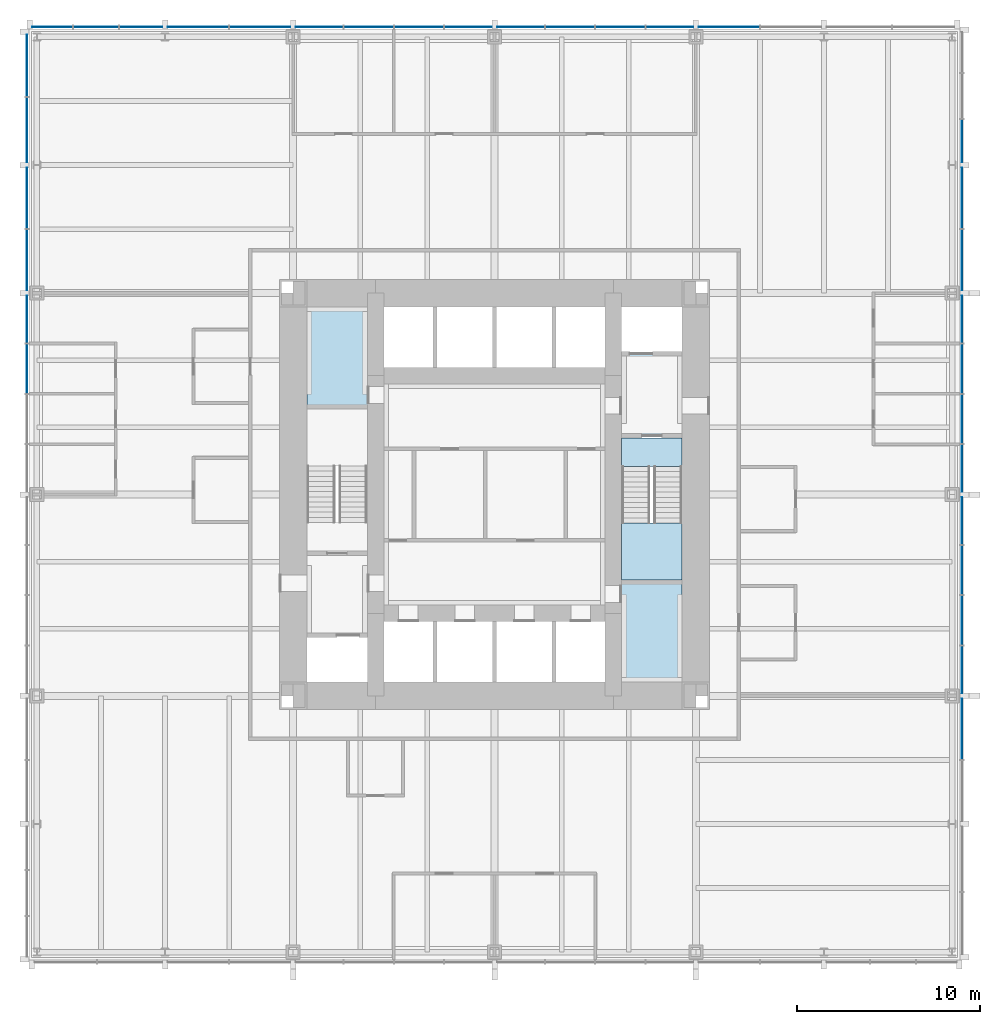
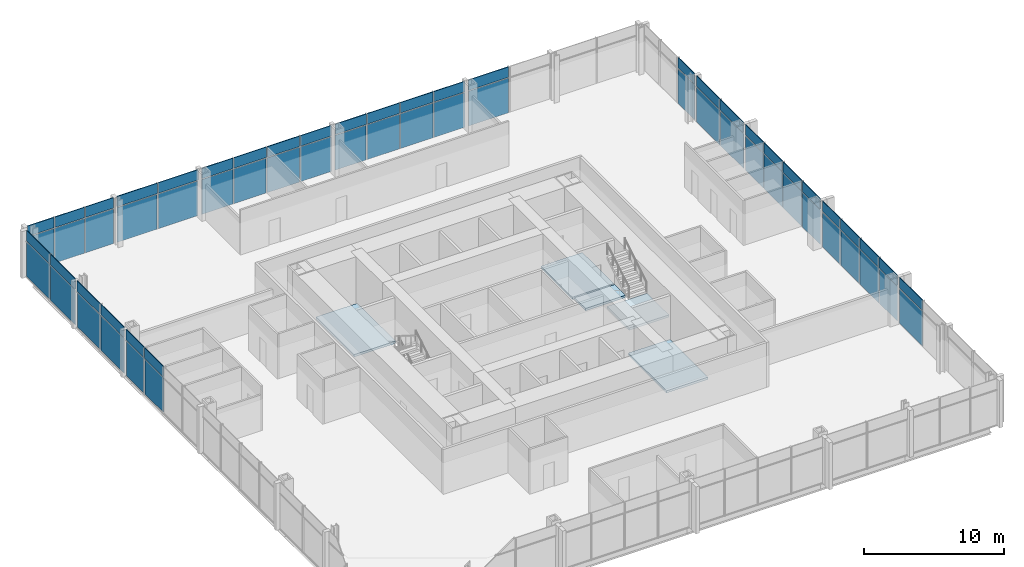
# One storey, part 8 of 12: 64 plates, 5 slabs, 4 elements without a shape of their own.
"""IFC4 building model written with IfcOpenShell, lengths in metres."""

from ifc_helpers import new_model, si_unit, direction, frame, origin, origin_2d, place, context, subcontext, project, spatial, polyline, rectangle, outline, extrude, material, layer, layer_set, type_object, element, aggregate, save


model = new_model("IFC4")

# Units and contexts
model_context = context("Model", 3, precision=1e-05, world=origin(), true_north=direction((0.0, 1.0)))
body_context = subcontext(model_context, "Body", "Model", "MODEL_VIEW")
ifc_project = project(units=[si_unit("LENGTHUNIT", "METRE"), si_unit("AREAUNIT", "SQUARE_METRE"), si_unit("VOLUMEUNIT", "CUBIC_METRE"), si_unit("PLANEANGLEUNIT", "RADIAN"), si_unit("MASSUNIT", "GRAM", prefix="KILO")], contexts=[model_context])

# Site, building, storey
site_placement = place(None, origin())
site = spatial("IfcSite", under=ifc_project, at=site_placement, CompositionType="ELEMENT")
building_placement = place(site_placement, origin())
building = spatial("IfcBuilding", under=site, at=building_placement, Name="Trevanion Tower", CompositionType="ELEMENT")
storey_placement = place(building_placement, frame((0.0, 0.0, 65.199951171875)))
storey = spatial("IfcBuildingStorey", under=building, at=storey_placement, Name="L15", CompositionType="ELEMENT", Elevation=65.199951171875)

# Curtain wall, plates
ifc_material_1 = material(Name="Aluminium and glass", Category="aluminium")
curtain_wall_type = type_object("IfcCurtainWallType", Name="CW1 curtain wall", PredefinedType="USERDEFINED", material=ifc_material_1)
curtain_wall_1_placement = place(storey_placement, origin())
curtain_wall_1 = element("IfcCurtainWall", 1, at=curtain_wall_1_placement, inside=storey, type_object=curtain_wall_type, Name="CW1 L15 0", ObjectType="UNITISED CURTAIN WALL", PredefinedType="USERDEFINED")
ifc_material_2 = material(Name="Aluminium spandrel panel", Category="aluminium")
ifc_layer_1 = layer(ifc_material_2, 0.06005859375)
ifc_layer_set_1 = layer_set([ifc_layer_1], Name="CW1 spandrel panel")
plate_type_1 = type_object("IfcPlateType", Name="CW1 spandrel panel", PredefinedType="CURTAIN_PANEL", material=ifc_layer_set_1)
plate_1_placement = place(storey_placement, frame((25.550048828125, -12.806396484375, 2.99755859375), z_axis=(0.0, 0.0, 1.0), x_axis=(0.0, 1.0, 0.0)))
plate_1 = element("IfcPlate", 2, at=plate_1_placement, type_object=plate_type_1, Name="CW1 panel 4.2", PredefinedType="CURTAIN_PANEL", context=body_context, shape_type="SweptSolid", body=[
    extrude(rectangle(XDim=3.3125, YDim=0.06005859375, at=origin_2d()), origin(), (0.0, 0.0, 1.0), 0.91259765625),
])
plate_2_placement = place(storey_placement, frame((25.550048828125, -9.56884765625, 2.99755859375), z_axis=(0.0, 0.0, 1.0), x_axis=(0.0, 1.0, 0.0)))
plate_2 = element("IfcPlate", 3, at=plate_2_placement, type_object=plate_type_1, Name="CW1 panel 5.2", PredefinedType="CURTAIN_PANEL", context=body_context, shape_type="SweptSolid", body=[
    extrude(rectangle(XDim=2.5625, YDim=0.06005859375, at=origin_2d()), origin(), (0.0, 0.0, 1.0), 0.91259765625),
])
plate_3_placement = place(storey_placement, frame((25.550048828125, -6.875, 2.99755859375), z_axis=(0.0, 0.0, 1.0), x_axis=(0.0, 1.0, 0.0)))
plate_3 = element("IfcPlate", 4, at=plate_3_placement, type_object=plate_type_1, Name="CW1 panel 6.2", PredefinedType="CURTAIN_PANEL", context=body_context, shape_type="SweptSolid", body=[
    extrude(rectangle(XDim=2.675048828125, YDim=0.06005859375, at=origin_2d()), origin(), (0.0, 0.0, 1.0), 0.91259765625),
])
plate_4_placement = place(storey_placement, frame((25.550048828125, -4.125, 2.99755859375), z_axis=(0.0, 0.0, 1.0), x_axis=(0.0, 1.0, 0.0)))
plate_4 = element("IfcPlate", 5, at=plate_4_placement, type_object=plate_type_1, Name="CW1 panel 7.2", PredefinedType="CURTAIN_PANEL", context=body_context, shape_type="SweptSolid", body=[
    extrude(rectangle(XDim=2.675048828125, YDim=0.06005859375, at=origin_2d()), origin(), (0.0, 0.0, 1.0), 0.91259765625),
])
plate_5_placement = place(storey_placement, frame((25.550048828125, -1.43115234375, 2.99755859375), z_axis=(0.0, 0.0, 1.0), x_axis=(0.0, 1.0, 0.0)))
plate_5 = element("IfcPlate", 6, at=plate_5_placement, type_object=plate_type_1, Name="CW1 panel 8.2", PredefinedType="CURTAIN_PANEL", context=body_context, shape_type="SweptSolid", body=[
    extrude(rectangle(XDim=2.5625, YDim=0.06005859375, at=origin_2d()), origin(), (0.0, 0.0, 1.0), 0.91259765625),
])
plate_6_placement = place(storey_placement, frame((25.550048828125, 1.43115234375, 2.99755859375), z_axis=(0.0, 0.0, 1.0), x_axis=(0.0, 1.0, 0.0)))
plate_6 = element("IfcPlate", 7, at=plate_6_placement, type_object=plate_type_1, Name="CW1 panel 9.2", PredefinedType="CURTAIN_PANEL", context=body_context, shape_type="SweptSolid", body=[
    extrude(rectangle(XDim=2.5625, YDim=0.06005859375, at=origin_2d()), origin(), (0.0, 0.0, 1.0), 0.91259765625),
])
plate_7_placement = place(storey_placement, frame((25.550048828125, 4.125, 2.99755859375), z_axis=(0.0, 0.0, 1.0), x_axis=(0.0, 1.0, 0.0)))
plate_7 = element("IfcPlate", 8, at=plate_7_placement, type_object=plate_type_1, Name="CW1 panel 10.2", PredefinedType="CURTAIN_PANEL", context=body_context, shape_type="SweptSolid", body=[
    extrude(rectangle(XDim=2.675048828125, YDim=0.06005859375, at=origin_2d()), origin(), (0.0, 0.0, 1.0), 0.91259765625),
])
plate_8_placement = place(storey_placement, frame((25.550048828125, 6.875, 2.99755859375), z_axis=(0.0, 0.0, 1.0), x_axis=(0.0, 1.0, 0.0)))
plate_8 = element("IfcPlate", 9, at=plate_8_placement, type_object=plate_type_1, Name="CW1 panel 11.2", PredefinedType="CURTAIN_PANEL", context=body_context, shape_type="SweptSolid", body=[
    extrude(rectangle(XDim=2.675048828125, YDim=0.06005859375, at=origin_2d()), origin(), (0.0, 0.0, 1.0), 0.91259765625),
])
plate_9_placement = place(storey_placement, frame((25.550048828125, 9.56884765625, 2.99755859375), z_axis=(0.0, 0.0, 1.0), x_axis=(0.0, 1.0, 0.0)))
plate_9 = element("IfcPlate", 10, at=plate_9_placement, type_object=plate_type_1, Name="CW1 panel 12.2", PredefinedType="CURTAIN_PANEL", context=body_context, shape_type="SweptSolid", body=[
    extrude(rectangle(XDim=2.5625, YDim=0.06005859375, at=origin_2d()), origin(), (0.0, 0.0, 1.0), 0.91259765625),
])
plate_10_placement = place(storey_placement, frame((25.550048828125, 12.80615234375, 2.99755859375), z_axis=(0.0, 0.0, 1.0), x_axis=(0.0, 1.0, 0.0)))
plate_10 = element("IfcPlate", 11, at=plate_10_placement, type_object=plate_type_1, Name="CW1 panel 13.2", PredefinedType="CURTAIN_PANEL", context=body_context, shape_type="SweptSolid", body=[
    extrude(rectangle(XDim=3.3125, YDim=0.06005859375, at=origin_2d()), origin(), (0.0, 0.0, 1.0), 0.91259765625),
])
plate_11_placement = place(storey_placement, frame((25.550048828125, 16.19384765625, 2.99755859375), z_axis=(0.0, 0.0, 1.0), x_axis=(0.0, 1.0, 0.0)))
plate_11 = element("IfcPlate", 12, at=plate_11_placement, type_object=plate_type_1, Name="CW1 panel 14.2", PredefinedType="CURTAIN_PANEL", context=body_context, shape_type="SweptSolid", body=[
    extrude(rectangle(XDim=3.3125, YDim=0.06005859375, at=origin_2d()), origin(), (0.0, 0.0, 1.0), 0.91259765625),
])
plate_12_placement = place(storey_placement, frame((25.550048828125, 19.314697265625, 2.99755859375), z_axis=(0.0, 0.0, 1.0), x_axis=(0.0, 1.0, 0.0)))
plate_12 = element("IfcPlate", 13, at=plate_12_placement, type_object=plate_type_1, Name="CW1 panel 15.2", PredefinedType="CURTAIN_PANEL", context=body_context, shape_type="SweptSolid", body=[
    extrude(rectangle(XDim=2.3291015625, YDim=0.06005859375, at=origin_2d()), origin(), (0.0, 0.0, 1.0), 0.91259765625),
])

curtain_wall_2_placement = place(storey_placement, origin())
curtain_wall_2 = element("IfcCurtainWall", 14, at=curtain_wall_2_placement, inside=storey, type_object=curtain_wall_type, Name="CW1 L15 1", ObjectType="UNITISED CURTAIN WALL", PredefinedType="USERDEFINED")
plate_13_placement = place(storey_placement, frame((12.806396484375, 25.550048828125, 2.99755859375), z_axis=(0.0, 0.0, 1.0), x_axis=(-1.0, 0.0, 0.0)))
plate_13 = element("IfcPlate", 15, at=plate_13_placement, type_object=plate_type_1, Name="CW1 panel 4.2", PredefinedType="CURTAIN_PANEL", context=body_context, shape_type="SweptSolid", body=[
    extrude(rectangle(XDim=3.3125, YDim=0.06005859375, at=origin_2d()), origin(), (0.0, 0.0, 1.0), 0.91259765625),
])
plate_14_placement = place(storey_placement, frame((9.56884765625, 25.550048828125, 2.99755859375), z_axis=(0.0, 0.0, 1.0), x_axis=(-1.0, 0.0, 0.0)))
plate_14 = element("IfcPlate", 16, at=plate_14_placement, type_object=plate_type_1, Name="CW1 panel 5.2", PredefinedType="CURTAIN_PANEL", context=body_context, shape_type="SweptSolid", body=[
    extrude(rectangle(XDim=2.5625, YDim=0.06005859375, at=origin_2d()), origin(), (0.0, 0.0, 1.0), 0.91259765625),
])
plate_15_placement = place(storey_placement, frame((6.875, 25.550048828125, 2.99755859375), z_axis=(0.0, 0.0, 1.0), x_axis=(-1.0, 0.0, 0.0)))
plate_15 = element("IfcPlate", 17, at=plate_15_placement, type_object=plate_type_1, Name="CW1 panel 6.2", PredefinedType="CURTAIN_PANEL", context=body_context, shape_type="SweptSolid", body=[
    extrude(rectangle(XDim=2.675048828125, YDim=0.06005859375, at=origin_2d()), origin(), (0.0, 0.0, 1.0), 0.91259765625),
])
plate_16_placement = place(storey_placement, frame((4.125, 25.550048828125, 2.99755859375), z_axis=(0.0, 0.0, 1.0), x_axis=(-1.0, 0.0, 0.0)))
plate_16 = element("IfcPlate", 18, at=plate_16_placement, type_object=plate_type_1, Name="CW1 panel 7.2", PredefinedType="CURTAIN_PANEL", context=body_context, shape_type="SweptSolid", body=[
    extrude(rectangle(XDim=2.675048828125, YDim=0.06005859375, at=origin_2d()), origin(), (0.0, 0.0, 1.0), 0.91259765625),
])
plate_17_placement = place(storey_placement, frame((1.43115234375, 25.550048828125, 2.99755859375), z_axis=(0.0, 0.0, 1.0), x_axis=(-1.0, 0.0, 0.0)))
plate_17 = element("IfcPlate", 19, at=plate_17_placement, type_object=plate_type_1, Name="CW1 panel 8.2", PredefinedType="CURTAIN_PANEL", context=body_context, shape_type="SweptSolid", body=[
    extrude(rectangle(XDim=2.5625, YDim=0.06005859375, at=origin_2d()), origin(), (0.0, 0.0, 1.0), 0.91259765625),
])
plate_18_placement = place(storey_placement, frame((-1.43115234375, 25.550048828125, 2.99755859375), z_axis=(0.0, 0.0, 1.0), x_axis=(-1.0, 0.0, 0.0)))
plate_18 = element("IfcPlate", 20, at=plate_18_placement, type_object=plate_type_1, Name="CW1 panel 9.2", PredefinedType="CURTAIN_PANEL", context=body_context, shape_type="SweptSolid", body=[
    extrude(rectangle(XDim=2.5625, YDim=0.06005859375, at=origin_2d()), origin(), (0.0, 0.0, 1.0), 0.91259765625),
])
plate_19_placement = place(storey_placement, frame((-4.125, 25.550048828125, 2.99755859375), z_axis=(0.0, 0.0, 1.0), x_axis=(-1.0, 0.0, 0.0)))
plate_19 = element("IfcPlate", 21, at=plate_19_placement, type_object=plate_type_1, Name="CW1 panel 10.2", PredefinedType="CURTAIN_PANEL", context=body_context, shape_type="SweptSolid", body=[
    extrude(rectangle(XDim=2.675048828125, YDim=0.06005859375, at=origin_2d()), origin(), (0.0, 0.0, 1.0), 0.91259765625),
])
plate_20_placement = place(storey_placement, frame((-6.875, 25.550048828125, 2.99755859375), z_axis=(0.0, 0.0, 1.0), x_axis=(-1.0, 0.0, 0.0)))
plate_20 = element("IfcPlate", 22, at=plate_20_placement, type_object=plate_type_1, Name="CW1 panel 11.2", PredefinedType="CURTAIN_PANEL", context=body_context, shape_type="SweptSolid", body=[
    extrude(rectangle(XDim=2.675048828125, YDim=0.06005859375, at=origin_2d()), origin(), (0.0, 0.0, 1.0), 0.91259765625),
])
plate_21_placement = place(storey_placement, frame((-9.56884765625, 25.550048828125, 2.99755859375), z_axis=(0.0, 0.0, 1.0), x_axis=(-1.0, 0.0, 0.0)))
plate_21 = element("IfcPlate", 23, at=plate_21_placement, type_object=plate_type_1, Name="CW1 panel 12.2", PredefinedType="CURTAIN_PANEL", context=body_context, shape_type="SweptSolid", body=[
    extrude(rectangle(XDim=2.5625, YDim=0.06005859375, at=origin_2d()), origin(), (0.0, 0.0, 1.0), 0.91259765625),
])
plate_22_placement = place(storey_placement, frame((-12.80615234375, 25.550048828125, 2.99755859375), z_axis=(0.0, 0.0, 1.0), x_axis=(-1.0, 0.0, 0.0)))
plate_22 = element("IfcPlate", 24, at=plate_22_placement, type_object=plate_type_1, Name="CW1 panel 13.2", PredefinedType="CURTAIN_PANEL", context=body_context, shape_type="SweptSolid", body=[
    extrude(rectangle(XDim=3.3125, YDim=0.06005859375, at=origin_2d()), origin(), (0.0, 0.0, 1.0), 0.91259765625),
])
plate_23_placement = place(storey_placement, frame((-16.19384765625, 25.550048828125, 2.99755859375), z_axis=(0.0, 0.0, 1.0), x_axis=(-1.0, 0.0, 0.0)))
plate_23 = element("IfcPlate", 25, at=plate_23_placement, type_object=plate_type_1, Name="CW1 panel 14.2", PredefinedType="CURTAIN_PANEL", context=body_context, shape_type="SweptSolid", body=[
    extrude(rectangle(XDim=3.3125, YDim=0.06005859375, at=origin_2d()), origin(), (0.0, 0.0, 1.0), 0.91259765625),
])
plate_24_placement = place(storey_placement, frame((-19.314697265625, 25.550048828125, 2.99755859375), z_axis=(0.0, 0.0, 1.0), x_axis=(-1.0, 0.0, 0.0)))
plate_24 = element("IfcPlate", 26, at=plate_24_placement, type_object=plate_type_1, Name="CW1 panel 15.2", PredefinedType="CURTAIN_PANEL", context=body_context, shape_type="SweptSolid", body=[
    extrude(rectangle(XDim=2.3291015625, YDim=0.06005859375, at=origin_2d()), origin(), (0.0, 0.0, 1.0), 0.91259765625),
])
plate_25_placement = place(storey_placement, frame((-21.77490234375, 25.550048828125, 2.99755859375), z_axis=(0.0, 0.0, 1.0), x_axis=(-1.0, 0.0, 0.0)))
plate_25 = element("IfcPlate", 27, at=plate_25_placement, type_object=plate_type_1, Name="CW1 panel 16.2", PredefinedType="CURTAIN_PANEL", context=body_context, shape_type="SweptSolid", body=[
    extrude(rectangle(XDim=2.441650390625, YDim=0.06005859375, at=origin_2d()), origin(), (0.0, 0.0, 1.0), 0.91259765625),
])
plate_26_placement = place(storey_placement, frame((-24.160400390625, 25.550048828125, 2.99755859375), z_axis=(0.0, 0.0, 1.0), x_axis=(-1.0, 0.0, 0.0)))
plate_26 = element("IfcPlate", 28, at=plate_26_placement, type_object=plate_type_1, Name="CW1 panel 17.2", PredefinedType="CURTAIN_PANEL", context=body_context, shape_type="SweptSolid", body=[
    extrude(rectangle(XDim=2.17919921875, YDim=0.06005859375, at=origin_2d()), origin(), (0.0, 0.0, 1.0), 0.91259765625),
])

curtain_wall_3_placement = place(storey_placement, origin())
curtain_wall_3 = element("IfcCurtainWall", 29, at=curtain_wall_3_placement, inside=storey, type_object=curtain_wall_type, Name="CW1 L15 2", ObjectType="UNITISED CURTAIN WALL", PredefinedType="USERDEFINED")
plate_27_placement = place(storey_placement, frame((-25.550048828125, 23.433837890625, 2.99755859375), z_axis=(0.0, 0.0, 1.0), x_axis=(0.0, -1.0, 0.0)))
plate_27 = element("IfcPlate", 30, at=plate_27_placement, type_object=plate_type_1, Name="CW1 panel 1.2", PredefinedType="CURTAIN_PANEL", context=body_context, shape_type="SweptSolid", body=[
    extrude(rectangle(XDim=3.37255859375, YDim=0.06005859375, at=origin_2d()), origin(), (0.0, 0.0, 1.0), 0.91259765625),
])
plate_28_placement = place(storey_placement, frame((-25.550048828125, 19.911376953125, 2.99755859375), z_axis=(0.0, 0.0, 1.0), x_axis=(0.0, -1.0, 0.0)))
plate_28 = element("IfcPlate", 31, at=plate_28_placement, type_object=plate_type_1, Name="CW1 panel 2.2", PredefinedType="CURTAIN_PANEL", context=body_context, shape_type="SweptSolid", body=[
    extrude(rectangle(XDim=3.5224609375, YDim=0.06005859375, at=origin_2d()), origin(), (0.0, 0.0, 1.0), 0.91259765625),
])
plate_29_placement = place(storey_placement, frame((-25.550048828125, 16.19384765625, 2.99755859375), z_axis=(0.0, 0.0, 1.0), x_axis=(0.0, -1.0, 0.0)))
plate_29 = element("IfcPlate", 32, at=plate_29_placement, type_object=plate_type_1, Name="CW1 panel 3.2", PredefinedType="CURTAIN_PANEL", context=body_context, shape_type="SweptSolid", body=[
    extrude(rectangle(XDim=3.3125, YDim=0.06005859375, at=origin_2d()), origin(), (0.0, 0.0, 1.0), 0.91259765625),
])
plate_30_placement = place(storey_placement, frame((-25.550048828125, 12.806396484375, 2.99755859375), z_axis=(0.0, 0.0, 1.0), x_axis=(0.0, -1.0, 0.0)))
plate_30 = element("IfcPlate", 33, at=plate_30_placement, type_object=plate_type_1, Name="CW1 panel 4.2", PredefinedType="CURTAIN_PANEL", context=body_context, shape_type="SweptSolid", body=[
    extrude(rectangle(XDim=3.3125, YDim=0.06005859375, at=origin_2d()), origin(), (0.0, 0.0, 1.0), 0.91259765625),
])
plate_31_placement = place(storey_placement, frame((-25.550048828125, 9.56884765625, 2.99755859375), z_axis=(0.0, 0.0, 1.0), x_axis=(0.0, -1.0, 0.0)))
plate_31 = element("IfcPlate", 34, at=plate_31_placement, type_object=plate_type_1, Name="CW1 panel 5.2", PredefinedType="CURTAIN_PANEL", context=body_context, shape_type="SweptSolid", body=[
    extrude(rectangle(XDim=2.5625, YDim=0.06005859375, at=origin_2d()), origin(), (0.0, 0.0, 1.0), 0.91259765625),
])
plate_32_placement = place(storey_placement, frame((-25.550048828125, 6.875, 2.99755859375), z_axis=(0.0, 0.0, 1.0), x_axis=(0.0, -1.0, 0.0)))
plate_32 = element("IfcPlate", 35, at=plate_32_placement, type_object=plate_type_1, Name="CW1 panel 6.2", PredefinedType="CURTAIN_PANEL", context=body_context, shape_type="SweptSolid", body=[
    extrude(rectangle(XDim=2.675048828125, YDim=0.06005859375, at=origin_2d()), origin(), (0.0, 0.0, 1.0), 0.91259765625),
])

# Plate
ifc_material_3 = material(Name="Insulating glass unit", Category="glass")
ifc_layer_2 = layer(ifc_material_3, 0.028076171875)
ifc_layer_set_2 = layer_set([ifc_layer_2], Name="CW1 vision panel")
plate_type_2 = type_object("IfcPlateType", Name="CW1 vision panel", PredefinedType="CURTAIN_PANEL", material=ifc_layer_set_2)
plate_33_placement = place(storey_placement, frame((25.550048828125, -12.806396484375, -0.114990234375), z_axis=(0.0, 0.0, 1.0), x_axis=(0.0, 1.0, 0.0)))
plate_33 = element("IfcPlate", 36, at=plate_33_placement, type_object=plate_type_2, Name="CW1 panel 4.1", PredefinedType="CURTAIN_PANEL", context=body_context, shape_type="SweptSolid", body=[
    extrude(rectangle(XDim=3.3125, YDim=0.028076171875, at=origin_2d()), origin(), (0.0, 0.0, 1.0), 3.03759765625),
])

plate_34_placement = place(storey_placement, frame((25.550048828125, -9.56884765625, -0.114990234375), z_axis=(0.0, 0.0, 1.0), x_axis=(0.0, 1.0, 0.0)))
plate_34 = element("IfcPlate", 37, at=plate_34_placement, type_object=plate_type_2, Name="CW1 panel 5.1", PredefinedType="CURTAIN_PANEL", context=body_context, shape_type="SweptSolid", body=[
    extrude(rectangle(XDim=2.5625, YDim=0.028076171875, at=origin_2d()), origin(), (0.0, 0.0, 1.0), 3.03759765625),
])

plate_35_placement = place(storey_placement, frame((25.550048828125, -6.875, -0.114990234375), z_axis=(0.0, 0.0, 1.0), x_axis=(0.0, 1.0, 0.0)))
plate_35 = element("IfcPlate", 38, at=plate_35_placement, type_object=plate_type_2, Name="CW1 panel 6.1", PredefinedType="CURTAIN_PANEL", context=body_context, shape_type="SweptSolid", body=[
    extrude(rectangle(XDim=2.675048828125, YDim=0.028076171875, at=origin_2d()), origin(), (0.0, 0.0, 1.0), 3.03759765625),
])

plate_36_placement = place(storey_placement, frame((25.550048828125, -4.125, -0.114990234375), z_axis=(0.0, 0.0, 1.0), x_axis=(0.0, 1.0, 0.0)))
plate_36 = element("IfcPlate", 39, at=plate_36_placement, type_object=plate_type_2, Name="CW1 panel 7.1", PredefinedType="CURTAIN_PANEL", context=body_context, shape_type="SweptSolid", body=[
    extrude(rectangle(XDim=2.675048828125, YDim=0.028076171875, at=origin_2d()), origin(), (0.0, 0.0, 1.0), 3.03759765625),
])

plate_37_placement = place(storey_placement, frame((25.550048828125, -1.43115234375, -0.114990234375), z_axis=(0.0, 0.0, 1.0), x_axis=(0.0, 1.0, 0.0)))
plate_37 = element("IfcPlate", 40, at=plate_37_placement, type_object=plate_type_2, Name="CW1 panel 8.1", PredefinedType="CURTAIN_PANEL", context=body_context, shape_type="SweptSolid", body=[
    extrude(rectangle(XDim=2.5625, YDim=0.028076171875, at=origin_2d()), origin(), (0.0, 0.0, 1.0), 3.03759765625),
])

plate_38_placement = place(storey_placement, frame((25.550048828125, 1.43115234375, -0.114990234375), z_axis=(0.0, 0.0, 1.0), x_axis=(0.0, 1.0, 0.0)))
plate_38 = element("IfcPlate", 41, at=plate_38_placement, type_object=plate_type_2, Name="CW1 panel 9.1", PredefinedType="CURTAIN_PANEL", context=body_context, shape_type="SweptSolid", body=[
    extrude(rectangle(XDim=2.5625, YDim=0.028076171875, at=origin_2d()), origin(), (0.0, 0.0, 1.0), 3.03759765625),
])

plate_39_placement = place(storey_placement, frame((25.550048828125, 4.125, -0.114990234375), z_axis=(0.0, 0.0, 1.0), x_axis=(0.0, 1.0, 0.0)))
plate_39 = element("IfcPlate", 42, at=plate_39_placement, type_object=plate_type_2, Name="CW1 panel 10.1", PredefinedType="CURTAIN_PANEL", context=body_context, shape_type="SweptSolid", body=[
    extrude(rectangle(XDim=2.675048828125, YDim=0.028076171875, at=origin_2d()), origin(), (0.0, 0.0, 1.0), 3.03759765625),
])

plate_40_placement = place(storey_placement, frame((25.550048828125, 6.875, -0.114990234375), z_axis=(0.0, 0.0, 1.0), x_axis=(0.0, 1.0, 0.0)))
plate_40 = element("IfcPlate", 43, at=plate_40_placement, type_object=plate_type_2, Name="CW1 panel 11.1", PredefinedType="CURTAIN_PANEL", context=body_context, shape_type="SweptSolid", body=[
    extrude(rectangle(XDim=2.675048828125, YDim=0.028076171875, at=origin_2d()), origin(), (0.0, 0.0, 1.0), 3.03759765625),
])

plate_41_placement = place(storey_placement, frame((25.550048828125, 9.56884765625, -0.114990234375), z_axis=(0.0, 0.0, 1.0), x_axis=(0.0, 1.0, 0.0)))
plate_41 = element("IfcPlate", 44, at=plate_41_placement, type_object=plate_type_2, Name="CW1 panel 12.1", PredefinedType="CURTAIN_PANEL", context=body_context, shape_type="SweptSolid", body=[
    extrude(rectangle(XDim=2.5625, YDim=0.028076171875, at=origin_2d()), origin(), (0.0, 0.0, 1.0), 3.03759765625),
])

plate_42_placement = place(storey_placement, frame((25.550048828125, 12.80615234375, -0.114990234375), z_axis=(0.0, 0.0, 1.0), x_axis=(0.0, 1.0, 0.0)))
plate_42 = element("IfcPlate", 45, at=plate_42_placement, type_object=plate_type_2, Name="CW1 panel 13.1", PredefinedType="CURTAIN_PANEL", context=body_context, shape_type="SweptSolid", body=[
    extrude(rectangle(XDim=3.3125, YDim=0.028076171875, at=origin_2d()), origin(), (0.0, 0.0, 1.0), 3.03759765625),
])

plate_43_placement = place(storey_placement, frame((25.550048828125, 16.19384765625, -0.114990234375), z_axis=(0.0, 0.0, 1.0), x_axis=(0.0, 1.0, 0.0)))
plate_43 = element("IfcPlate", 46, at=plate_43_placement, type_object=plate_type_2, Name="CW1 panel 14.1", PredefinedType="CURTAIN_PANEL", context=body_context, shape_type="SweptSolid", body=[
    extrude(rectangle(XDim=3.3125, YDim=0.028076171875, at=origin_2d()), origin(), (0.0, 0.0, 1.0), 3.03759765625),
])

plate_44_placement = place(storey_placement, frame((25.550048828125, 19.314697265625, -0.114990234375), z_axis=(0.0, 0.0, 1.0), x_axis=(0.0, 1.0, 0.0)))
plate_44 = element("IfcPlate", 47, at=plate_44_placement, type_object=plate_type_2, Name="CW1 panel 15.1", PredefinedType="CURTAIN_PANEL", context=body_context, shape_type="SweptSolid", body=[
    extrude(rectangle(XDim=2.3291015625, YDim=0.028076171875, at=origin_2d()), origin(), (0.0, 0.0, 1.0), 3.03759765625),
])

aggregate(curtain_wall_1, [plate_33, plate_1, plate_34, plate_2, plate_35, plate_3, plate_36, plate_4, plate_37, plate_5, plate_38, plate_6, plate_39, plate_7, plate_40, plate_8, plate_41, plate_9, plate_42, plate_10, plate_43, plate_11, plate_44, plate_12])

plate_45_placement = place(storey_placement, frame((12.806396484375, 25.550048828125, -0.114990234375), z_axis=(0.0, 0.0, 1.0), x_axis=(-1.0, 0.0, 0.0)))
plate_45 = element("IfcPlate", 48, at=plate_45_placement, type_object=plate_type_2, Name="CW1 panel 4.1", PredefinedType="CURTAIN_PANEL", context=body_context, shape_type="SweptSolid", body=[
    extrude(rectangle(XDim=3.3125, YDim=0.028076171875, at=origin_2d()), origin(), (0.0, 0.0, 1.0), 3.03759765625),
])

plate_46_placement = place(storey_placement, frame((9.56884765625, 25.550048828125, -0.114990234375), z_axis=(0.0, 0.0, 1.0), x_axis=(-1.0, 0.0, 0.0)))
plate_46 = element("IfcPlate", 49, at=plate_46_placement, type_object=plate_type_2, Name="CW1 panel 5.1", PredefinedType="CURTAIN_PANEL", context=body_context, shape_type="SweptSolid", body=[
    extrude(rectangle(XDim=2.5625, YDim=0.028076171875, at=origin_2d()), origin(), (0.0, 0.0, 1.0), 3.03759765625),
])

plate_47_placement = place(storey_placement, frame((6.875, 25.550048828125, -0.114990234375), z_axis=(0.0, 0.0, 1.0), x_axis=(-1.0, 0.0, 0.0)))
plate_47 = element("IfcPlate", 50, at=plate_47_placement, type_object=plate_type_2, Name="CW1 panel 6.1", PredefinedType="CURTAIN_PANEL", context=body_context, shape_type="SweptSolid", body=[
    extrude(rectangle(XDim=2.675048828125, YDim=0.028076171875, at=origin_2d()), origin(), (0.0, 0.0, 1.0), 3.03759765625),
])

plate_48_placement = place(storey_placement, frame((4.125, 25.550048828125, -0.114990234375), z_axis=(0.0, 0.0, 1.0), x_axis=(-1.0, 0.0, 0.0)))
plate_48 = element("IfcPlate", 51, at=plate_48_placement, type_object=plate_type_2, Name="CW1 panel 7.1", PredefinedType="CURTAIN_PANEL", context=body_context, shape_type="SweptSolid", body=[
    extrude(rectangle(XDim=2.675048828125, YDim=0.028076171875, at=origin_2d()), origin(), (0.0, 0.0, 1.0), 3.03759765625),
])

plate_49_placement = place(storey_placement, frame((1.43115234375, 25.550048828125, -0.114990234375), z_axis=(0.0, 0.0, 1.0), x_axis=(-1.0, 0.0, 0.0)))
plate_49 = element("IfcPlate", 52, at=plate_49_placement, type_object=plate_type_2, Name="CW1 panel 8.1", PredefinedType="CURTAIN_PANEL", context=body_context, shape_type="SweptSolid", body=[
    extrude(rectangle(XDim=2.5625, YDim=0.028076171875, at=origin_2d()), origin(), (0.0, 0.0, 1.0), 3.03759765625),
])

plate_50_placement = place(storey_placement, frame((-1.43115234375, 25.550048828125, -0.114990234375), z_axis=(0.0, 0.0, 1.0), x_axis=(-1.0, 0.0, 0.0)))
plate_50 = element("IfcPlate", 53, at=plate_50_placement, type_object=plate_type_2, Name="CW1 panel 9.1", PredefinedType="CURTAIN_PANEL", context=body_context, shape_type="SweptSolid", body=[
    extrude(rectangle(XDim=2.5625, YDim=0.028076171875, at=origin_2d()), origin(), (0.0, 0.0, 1.0), 3.03759765625),
])

plate_51_placement = place(storey_placement, frame((-4.125, 25.550048828125, -0.114990234375), z_axis=(0.0, 0.0, 1.0), x_axis=(-1.0, 0.0, 0.0)))
plate_51 = element("IfcPlate", 54, at=plate_51_placement, type_object=plate_type_2, Name="CW1 panel 10.1", PredefinedType="CURTAIN_PANEL", context=body_context, shape_type="SweptSolid", body=[
    extrude(rectangle(XDim=2.675048828125, YDim=0.028076171875, at=origin_2d()), origin(), (0.0, 0.0, 1.0), 3.03759765625),
])

plate_52_placement = place(storey_placement, frame((-6.875, 25.550048828125, -0.114990234375), z_axis=(0.0, 0.0, 1.0), x_axis=(-1.0, 0.0, 0.0)))
plate_52 = element("IfcPlate", 55, at=plate_52_placement, type_object=plate_type_2, Name="CW1 panel 11.1", PredefinedType="CURTAIN_PANEL", context=body_context, shape_type="SweptSolid", body=[
    extrude(rectangle(XDim=2.675048828125, YDim=0.028076171875, at=origin_2d()), origin(), (0.0, 0.0, 1.0), 3.03759765625),
])

plate_53_placement = place(storey_placement, frame((-9.56884765625, 25.550048828125, -0.114990234375), z_axis=(0.0, 0.0, 1.0), x_axis=(-1.0, 0.0, 0.0)))
plate_53 = element("IfcPlate", 56, at=plate_53_placement, type_object=plate_type_2, Name="CW1 panel 12.1", PredefinedType="CURTAIN_PANEL", context=body_context, shape_type="SweptSolid", body=[
    extrude(rectangle(XDim=2.5625, YDim=0.028076171875, at=origin_2d()), origin(), (0.0, 0.0, 1.0), 3.03759765625),
])

plate_54_placement = place(storey_placement, frame((-12.80615234375, 25.550048828125, -0.114990234375), z_axis=(0.0, 0.0, 1.0), x_axis=(-1.0, 0.0, 0.0)))
plate_54 = element("IfcPlate", 57, at=plate_54_placement, type_object=plate_type_2, Name="CW1 panel 13.1", PredefinedType="CURTAIN_PANEL", context=body_context, shape_type="SweptSolid", body=[
    extrude(rectangle(XDim=3.3125, YDim=0.028076171875, at=origin_2d()), origin(), (0.0, 0.0, 1.0), 3.03759765625),
])

plate_55_placement = place(storey_placement, frame((-16.19384765625, 25.550048828125, -0.114990234375), z_axis=(0.0, 0.0, 1.0), x_axis=(-1.0, 0.0, 0.0)))
plate_55 = element("IfcPlate", 58, at=plate_55_placement, type_object=plate_type_2, Name="CW1 panel 14.1", PredefinedType="CURTAIN_PANEL", context=body_context, shape_type="SweptSolid", body=[
    extrude(rectangle(XDim=3.3125, YDim=0.028076171875, at=origin_2d()), origin(), (0.0, 0.0, 1.0), 3.03759765625),
])

plate_56_placement = place(storey_placement, frame((-19.314697265625, 25.550048828125, -0.114990234375), z_axis=(0.0, 0.0, 1.0), x_axis=(-1.0, 0.0, 0.0)))
plate_56 = element("IfcPlate", 59, at=plate_56_placement, type_object=plate_type_2, Name="CW1 panel 15.1", PredefinedType="CURTAIN_PANEL", context=body_context, shape_type="SweptSolid", body=[
    extrude(rectangle(XDim=2.3291015625, YDim=0.028076171875, at=origin_2d()), origin(), (0.0, 0.0, 1.0), 3.03759765625),
])

plate_57_placement = place(storey_placement, frame((-21.77490234375, 25.550048828125, -0.114990234375), z_axis=(0.0, 0.0, 1.0), x_axis=(-1.0, 0.0, 0.0)))
plate_57 = element("IfcPlate", 60, at=plate_57_placement, type_object=plate_type_2, Name="CW1 panel 16.1", PredefinedType="CURTAIN_PANEL", context=body_context, shape_type="SweptSolid", body=[
    extrude(rectangle(XDim=2.441650390625, YDim=0.028076171875, at=origin_2d()), origin(), (0.0, 0.0, 1.0), 3.03759765625),
])

plate_58_placement = place(storey_placement, frame((-24.160400390625, 25.550048828125, -0.114990234375), z_axis=(0.0, 0.0, 1.0), x_axis=(-1.0, 0.0, 0.0)))
plate_58 = element("IfcPlate", 61, at=plate_58_placement, type_object=plate_type_2, Name="CW1 panel 17.1", PredefinedType="CURTAIN_PANEL", context=body_context, shape_type="SweptSolid", body=[
    extrude(rectangle(XDim=2.17919921875, YDim=0.028076171875, at=origin_2d()), origin(), (0.0, 0.0, 1.0), 3.03759765625),
])

aggregate(curtain_wall_2, [plate_45, plate_13, plate_46, plate_14, plate_47, plate_15, plate_48, plate_16, plate_49, plate_17, plate_50, plate_18, plate_51, plate_19, plate_52, plate_20, plate_53, plate_21, plate_54, plate_22, plate_55, plate_23, plate_56, plate_24, plate_57, plate_25, plate_58, plate_26])

plate_59_placement = place(storey_placement, frame((-25.550048828125, 23.433837890625, -0.114990234375), z_axis=(0.0, 0.0, 1.0), x_axis=(0.0, -1.0, 0.0)))
plate_59 = element("IfcPlate", 62, at=plate_59_placement, type_object=plate_type_2, Name="CW1 panel 1.1", PredefinedType="CURTAIN_PANEL", context=body_context, shape_type="SweptSolid", body=[
    extrude(rectangle(XDim=3.37255859375, YDim=0.028076171875, at=origin_2d()), origin(), (0.0, 0.0, 1.0), 3.03759765625),
])

plate_60_placement = place(storey_placement, frame((-25.550048828125, 19.911376953125, -0.114990234375), z_axis=(0.0, 0.0, 1.0), x_axis=(0.0, -1.0, 0.0)))
plate_60 = element("IfcPlate", 63, at=plate_60_placement, type_object=plate_type_2, Name="CW1 panel 2.1", PredefinedType="CURTAIN_PANEL", context=body_context, shape_type="SweptSolid", body=[
    extrude(rectangle(XDim=3.5224609375, YDim=0.028076171875, at=origin_2d()), origin(), (0.0, 0.0, 1.0), 3.03759765625),
])

plate_61_placement = place(storey_placement, frame((-25.550048828125, 16.19384765625, -0.114990234375), z_axis=(0.0, 0.0, 1.0), x_axis=(0.0, -1.0, 0.0)))
plate_61 = element("IfcPlate", 64, at=plate_61_placement, type_object=plate_type_2, Name="CW1 panel 3.1", PredefinedType="CURTAIN_PANEL", context=body_context, shape_type="SweptSolid", body=[
    extrude(rectangle(XDim=3.3125, YDim=0.028076171875, at=origin_2d()), origin(), (0.0, 0.0, 1.0), 3.03759765625),
])

plate_62_placement = place(storey_placement, frame((-25.550048828125, 12.806396484375, -0.114990234375), z_axis=(0.0, 0.0, 1.0), x_axis=(0.0, -1.0, 0.0)))
plate_62 = element("IfcPlate", 65, at=plate_62_placement, type_object=plate_type_2, Name="CW1 panel 4.1", PredefinedType="CURTAIN_PANEL", context=body_context, shape_type="SweptSolid", body=[
    extrude(rectangle(XDim=3.3125, YDim=0.028076171875, at=origin_2d()), origin(), (0.0, 0.0, 1.0), 3.03759765625),
])

plate_63_placement = place(storey_placement, frame((-25.550048828125, 9.56884765625, -0.114990234375), z_axis=(0.0, 0.0, 1.0), x_axis=(0.0, -1.0, 0.0)))
plate_63 = element("IfcPlate", 66, at=plate_63_placement, type_object=plate_type_2, Name="CW1 panel 5.1", PredefinedType="CURTAIN_PANEL", context=body_context, shape_type="SweptSolid", body=[
    extrude(rectangle(XDim=2.5625, YDim=0.028076171875, at=origin_2d()), origin(), (0.0, 0.0, 1.0), 3.03759765625),
])

plate_64_placement = place(storey_placement, frame((-25.550048828125, 6.875, -0.114990234375), z_axis=(0.0, 0.0, 1.0), x_axis=(0.0, -1.0, 0.0)))
plate_64 = element("IfcPlate", 67, at=plate_64_placement, type_object=plate_type_2, Name="CW1 panel 6.1", PredefinedType="CURTAIN_PANEL", context=body_context, shape_type="SweptSolid", body=[
    extrude(rectangle(XDim=2.675048828125, YDim=0.028076171875, at=origin_2d()), origin(), (0.0, 0.0, 1.0), 3.03759765625),
])

aggregate(curtain_wall_3, [plate_59, plate_27, plate_60, plate_28, plate_61, plate_29, plate_62, plate_30, plate_63, plate_31, plate_64, plate_32])

# Slabs
ifc_material_4 = material(Name="Concrete 5,000 psi", Category="concrete")
ifc_layer_3 = layer(ifc_material_4, 0.199951171875)
ifc_layer_set_3 = layer_set([ifc_layer_3], Name="SL2 core floor 200")
slab_type_1 = type_object("IfcSlabType", Name="SL2 core floor 200", PredefinedType="FLOOR", material=ifc_layer_set_3)
slab_1_placement = place(storey_placement, frame((0.0, 0.0, -0.199951171875)))
element("IfcSlab", 68, at=slab_1_placement, inside=storey, type_object=slab_type_1, Name="SL2 L15 core floor 1", PredefinedType="FLOOR", context=body_context, shape_type="SweptSolid", body=[
    extrude(outline(polyline([(10.25, -4.804931640625), (10.25, -10.25), (6.830078125, -10.25), (6.830078125, -4.804931640625), (10.25, -4.804931640625)])), origin(), (0.0, 0.0, 1.0), 0.199951171875),
])
slab_2_placement = place(storey_placement, frame((0.0, 0.0, -0.199951171875)))
element("IfcSlab", 69, at=slab_2_placement, inside=storey, type_object=slab_type_1, Name="SL2 L15 core floor 4", PredefinedType="FLOOR", context=body_context, shape_type="SweptSolid", body=[
    extrude(outline(polyline([(6.830078125, 3.205078125), (6.830078125, 7.695068359375), (10.25, 7.695068359375), (10.25, 3.205078125), (6.830078125, 3.205078125)])), origin(), (0.0, 0.0, 1.0), 0.199951171875),
])
slab_3_placement = place(storey_placement, frame((0.0, 0.0, -0.199951171875)))
element("IfcSlab", 70, at=slab_3_placement, inside=storey, type_object=slab_type_1, Name="SL2 L15 core floor 5", PredefinedType="FLOOR", context=body_context, shape_type="SweptSolid", body=[
    extrude(outline(polyline([(-6.830078125, 4.804931640625), (-10.25, 4.804931640625), (-10.25, 10.25), (-6.830078125, 10.25), (-6.830078125, 4.804931640625)])), origin(), (0.0, 0.0, 1.0), 0.199951171875),
])

# Stair, slabs
ifc_material_5 = material(Name="Concrete 5,000 psi on steel stringers", Category="concrete")
stair_type = type_object("IfcStairType", Name="ST stair", PredefinedType="HALF_TURN_STAIR", material=ifc_material_5)
stair_placement = place(storey_placement, origin())
stair = element("IfcStair", 71, at=stair_placement, inside=storey, type_object=stair_type, Name="ST1 L15", PredefinedType="HALF_TURN_STAIR")
ifc_material_6 = material(Name="Concrete 5,000 psi in steel pan", Category="concrete")
ifc_layer_4 = layer(ifc_material_6, 0.199951171875)
ifc_layer_set_4 = layer_set([ifc_layer_4], Name="STL stair landing 200")
slab_type_2 = type_object("IfcSlabType", Name="STL stair landing 200", PredefinedType="LANDING", material=ifc_layer_set_4)
slab_4_placement = place(storey_placement, frame((0.0, 0.0, -0.199951171875)))
slab_4 = element("IfcSlab", 72, at=slab_4_placement, type_object=slab_type_2, Name="ST1 landing 1", PredefinedType="LANDING", context=body_context, shape_type="SweptSolid", body=[
    extrude(outline(polyline([(6.949951171875, 1.52490234375), (10.25, 1.52490234375), (10.25, 3.074951171875), (6.949951171875, 3.074951171875), (6.949951171875, 1.52490234375)])), origin(), (0.0, 0.0, 1.0), 0.199951171875),
])
slab_5_placement = place(storey_placement, frame((0.0, 0.0, 1.85009765625)))
slab_5 = element("IfcSlab", 73, at=slab_5_placement, type_object=slab_type_2, Name="ST1 landing 2", PredefinedType="LANDING", context=body_context, shape_type="SweptSolid", body=[
    extrude(outline(polyline([(6.949951171875, -4.675048828125), (10.25, -4.675048828125), (10.25, -1.554931640625), (6.949951171875, -1.554931640625), (6.949951171875, -4.675048828125)])), origin(), (0.0, 0.0, 1.0), 0.199951171875),
])
aggregate(stair, [slab_4, slab_5])

save(model, "model.ifc")
